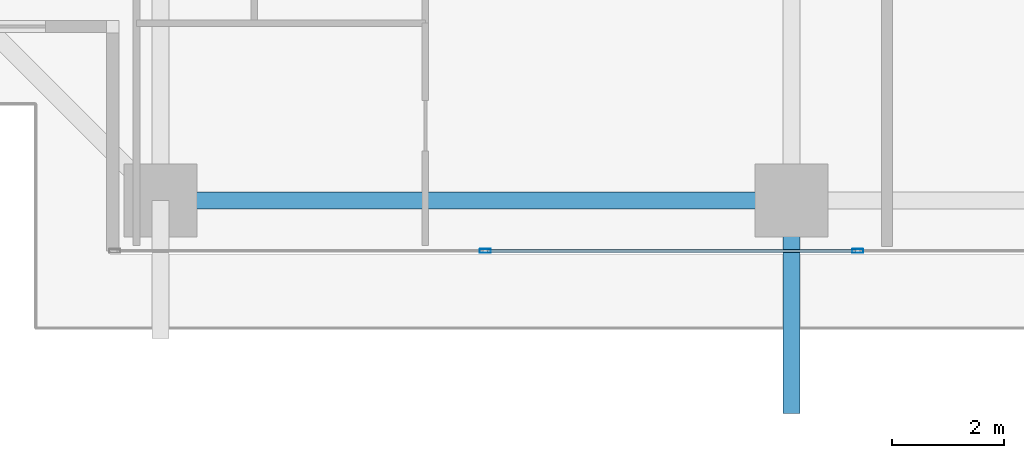
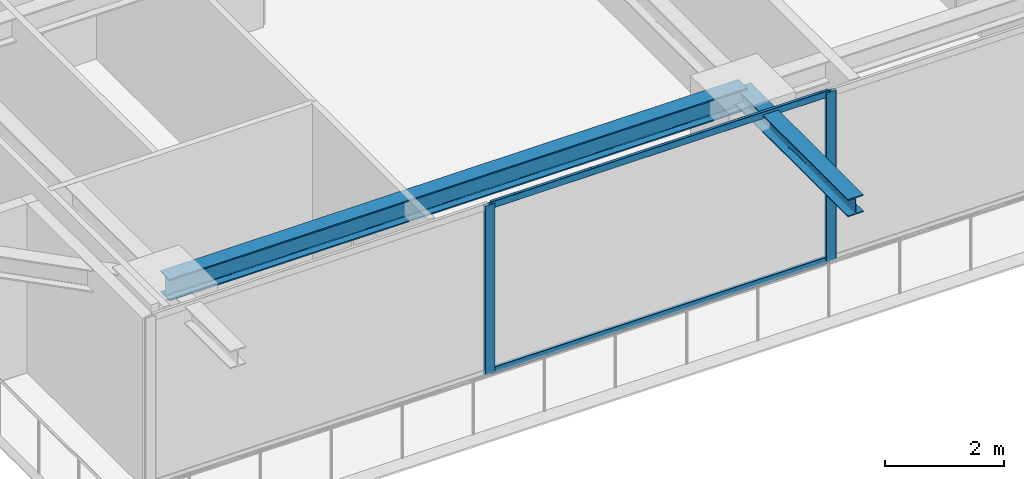
# One storey, part 5 of 39: 4 members, 2 beams, 1 element without a shape of its own.
"""IFC4 building model written with IfcOpenShell, lengths in metres."""

from ifc_helpers import new_model, si_unit, direction, frame, origin, origin_2d, place, context, subcontext, project, spatial, hollow_rectangle, i_section, extrude, source, transform, mapped, material, layer, layer_set, material_profile, profile_set, type_object, element, aggregate, save


model = new_model("IFC4")

# Units and contexts
model_context = context("Model", 3, precision=1e-05, world=origin(), true_north=direction((0.0, 1.0)))
body_context = subcontext(model_context, "Body", "Model", "MODEL_VIEW")
ifc_project = project(units=[si_unit("LENGTHUNIT", "METRE"), si_unit("AREAUNIT", "SQUARE_METRE"), si_unit("VOLUMEUNIT", "CUBIC_METRE"), si_unit("PLANEANGLEUNIT", "RADIAN"), si_unit("MASSUNIT", "GRAM", prefix="KILO")], contexts=[model_context])

# Site, building, storey
site_placement = place(None, origin())
site = spatial("IfcSite", under=ifc_project, at=site_placement, CompositionType="ELEMENT")
building_placement = place(site_placement, origin())
building = spatial("IfcBuilding", under=site, at=building_placement, Name="Serunith Strait Residences", CompositionType="ELEMENT")
storey_placement = place(building_placement, frame((0.0, 0.0, 168.89990234375)))
storey = spatial("IfcBuildingStorey", under=building, at=storey_placement, Name="L42", CompositionType="ELEMENT", Elevation=168.89990234375)

# Beams
ifc_material_1 = material(Name="Steel S355J2", Category="steel")
ifc_material_profile_1 = material_profile(ifc_material_1, i_section(OverallWidth=0.300048828125, OverallDepth=0.449951171875, WebThickness=0.013916015625, FlangeThickness=0.02587890625, FilletRadius=0.027099609375, at=origin_2d()), Name="HEB 450")
ifc_profile_set_1 = profile_set([ifc_material_profile_1], Name="Steel S355J2")
beam_type_1 = type_object("IfcBeamType", Name="BM-HEB450", PredefinedType="BEAM", material=ifc_profile_set_1)
shared_shape_1 = source(origin(), body_context, "Body", "SweptSolid", [
    extrude(i_section(OverallWidth=0.300048828125, OverallDepth=0.449951171875, WebThickness=0.013916015625, FlangeThickness=0.02587890625, FilletRadius=0.027099609375, at=origin_2d()), origin(), (0.0, 0.0, 1.0), 11.25),
])
beam_1_placement = place(storey_placement, frame((16.64990234375, 2.300048828125, 3.26220703125), z_axis=(1.0, 0.0, 0.0), x_axis=(0.0, 1.0, 0.0)))
element("IfcBeam", 1, at=beam_1_placement, inside=storey, type_object=beam_type_1, Name="L42 Perimeter Ring Beam 01", PredefinedType="BEAM", context=body_context, shape_type="MappedRepresentation", body=[
    mapped(shared_shape_1, transform((0.0, 0.0, 0.0), scale=1.0)),
])
ifc_material_profile_2 = material_profile(ifc_material_1, i_section(OverallWidth=0.300048828125, OverallDepth=0.360107421875, WebThickness=0.012451171875, FlangeThickness=0.0224609375, FilletRadius=0.027099609375, at=origin_2d()), Name="HEB 360")
ifc_profile_set_2 = profile_set([ifc_material_profile_2], Name="Steel S355J2")
beam_type_2 = type_object("IfcBeamType", Name="BM-HEB360", PredefinedType="BEAM", material=ifc_profile_set_2)
shared_shape_2 = source(origin(), body_context, "Body", "SweptSolid", [
    extrude(i_section(OverallWidth=0.300048828125, OverallDepth=0.360107421875, WebThickness=0.012451171875, FlangeThickness=0.0224609375, FilletRadius=0.027099609375, at=origin_2d()), origin(), (0.0, 0.0, 1.0), 3.800048828125),
])
beam_2_placement = place(storey_placement, frame((27.89990234375, 2.300048828125, 3.277099609375), z_axis=(0.0, -1.0, 0.0), x_axis=(1.0, 0.0, 0.0)))
element("IfcBeam", 2, at=beam_2_placement, inside=storey, type_object=beam_type_2, Name="L43 Cantilevered Balcony Rib TC-S2", PredefinedType="BEAM", context=body_context, shape_type="MappedRepresentation", body=[
    mapped(shared_shape_2, transform((0.0, 0.0, 0.0), scale=1.0)),
])

# Curtain wall, members
ifc_material_2 = material(Name="Pale-Champagne Anodised Aluminium", Category="aluminium")
ifc_layer = layer(ifc_material_2, 0.199951171875, Name="Pale-Champagne Anodised Aluminium")
ifc_layer_set = layer_set([ifc_layer], Name="Pale-Champagne Anodised Aluminium")
curtain_wall_type = type_object("IfcCurtainWallType", Name="CW-SYS2", PredefinedType="NOTDEFINED", material=ifc_layer_set)
curtain_wall_placement = place(storey_placement, origin())
curtain_wall = element("IfcCurtainWall", 3, at=curtain_wall_placement, inside=storey, type_object=curtain_wall_type, Name="L42 S Unitised Fritted Curtain Wall", PredefinedType="NOTDEFINED")
ifc_material_profile_3 = material_profile(ifc_material_2, hollow_rectangle(XDim=0.070068359375, YDim=0.199951171875, WallThickness=0.00390625, InnerFilletRadius=0.006103515625, OuterFilletRadius=0.010009765625, at=origin_2d()), Name="ALU 200x70x4")
ifc_profile_set_3 = profile_set([ifc_material_profile_3], Name="Pale-Champagne Anodised Aluminium")
member_type_1 = type_object("IfcMemberType", Name="CW-SYS2-MULL", PredefinedType="MULLION", material=ifc_profile_set_3)
shared_shape_3 = source(origin(), body_context, "Body", "SweptSolid", [
    extrude(hollow_rectangle(XDim=0.070068359375, YDim=0.199951171875, WallThickness=0.00390625, InnerFilletRadius=0.006103515625, OuterFilletRadius=0.010009765625, at=origin_2d()), origin(), (0.0, 0.0, 1.0), 3.47509765625),
])
member_1_placement = place(storey_placement, frame((22.43994140625, 1.39990234375, 0.0), z_axis=(0.0, 0.0, 1.0), x_axis=(0.0, 1.0, 0.0)))
member_1 = element("IfcMember", 4, at=member_1_placement, type_object=member_type_1, Name="CW-2 mullion 2", PredefinedType="MULLION", context=body_context, shape_type="MappedRepresentation", body=[
    mapped(shared_shape_3, transform((0.0, 0.0, 0.0), scale=1.0)),
])
member_2_placement = place(storey_placement, frame((29.080078125, 1.39990234375, 0.0), z_axis=(0.0, 0.0, 1.0), x_axis=(0.0, 1.0, 0.0)))
member_2 = element("IfcMember", 5, at=member_2_placement, type_object=member_type_1, Name="CW-2 mullion 3", PredefinedType="MULLION", context=body_context, shape_type="MappedRepresentation", body=[
    mapped(shared_shape_3, transform((0.0, 0.0, 0.0), scale=1.0)),
])
ifc_material_profile_4 = material_profile(ifc_material_2, hollow_rectangle(XDim=0.06005859375, YDim=0.139892578125, WallThickness=0.00341796875, InnerFilletRadius=0.00537109375, OuterFilletRadius=0.0087890625, at=origin_2d()), Name="ALU 140x60x3.5")
ifc_profile_set_4 = profile_set([ifc_material_profile_4], Name="Pale-Champagne Anodised Aluminium")
member_type_2 = type_object("IfcMemberType", Name="CW-SYS2-TRAN", PredefinedType="USERDEFINED", material=ifc_profile_set_4)
shared_shape_4 = source(origin(), body_context, "Body", "SweptSolid", [
    extrude(hollow_rectangle(XDim=0.06005859375, YDim=0.139892578125, WallThickness=0.00341796875, InnerFilletRadius=0.00537109375, OuterFilletRadius=0.0087890625, at=origin_2d()), origin(), (0.0, 0.0, 1.0), 6.56982421875),
])
member_3_placement = place(storey_placement, frame((22.47509765625, 1.39990234375, 0.030029296875), z_axis=(1.0, 0.0, 0.0), x_axis=(0.0, 1.0, 0.0)))
member_3 = element("IfcMember", 6, at=member_3_placement, type_object=member_type_2, Name="CW-2 transom 2.1", ObjectType="TRANSOM", PredefinedType="USERDEFINED", context=body_context, shape_type="MappedRepresentation", body=[
    mapped(shared_shape_4, transform((0.0, 0.0, 0.0), scale=1.0)),
])
member_4_placement = place(storey_placement, frame((22.47509765625, 1.39990234375, 3.445068359375), z_axis=(1.0, 0.0, 0.0), x_axis=(0.0, 1.0, 0.0)))
member_4 = element("IfcMember", 7, at=member_4_placement, type_object=member_type_2, Name="CW-2 transom 2.2", ObjectType="TRANSOM", PredefinedType="USERDEFINED", context=body_context, shape_type="MappedRepresentation", body=[
    mapped(shared_shape_4, transform((0.0, 0.0, 0.0), scale=1.0)),
])
aggregate(curtain_wall, [member_1, member_2, member_3, member_4])

save(model, "model.ifc")
